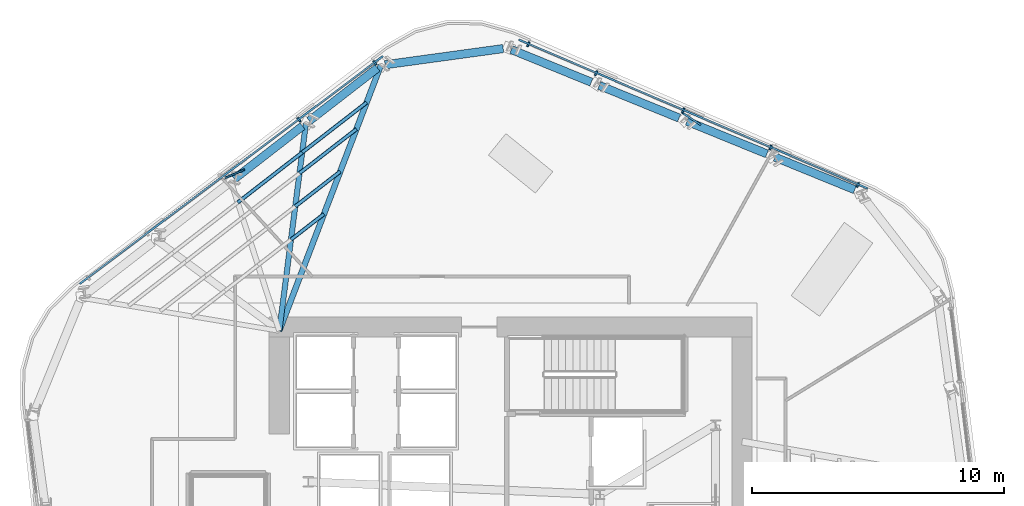
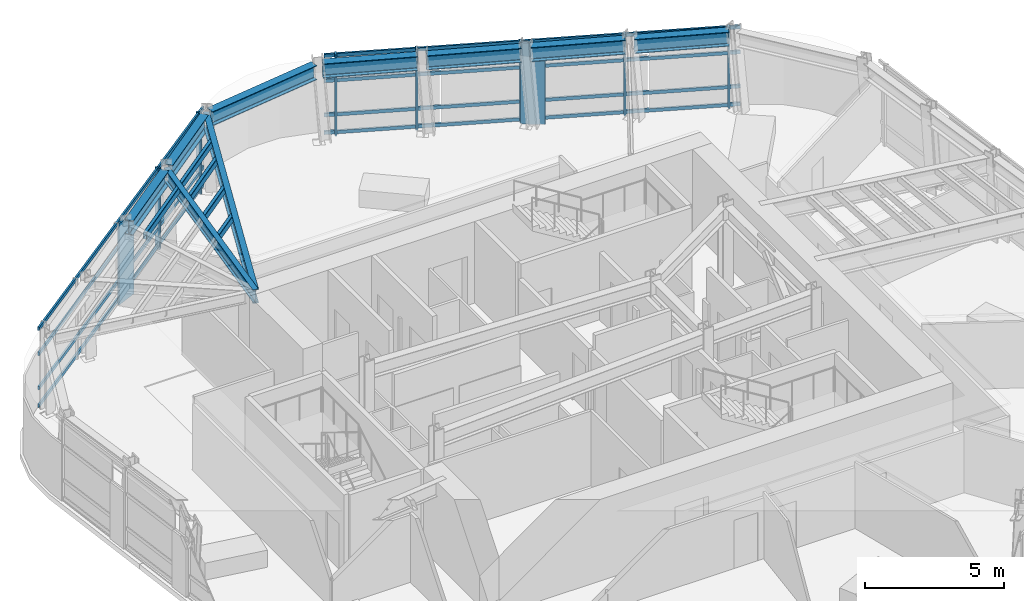
# One storey, part 6 of 14: 22 members, 9 beams, 2 elements without a shape of their own.
"""IFC4 building model written with IfcOpenShell, lengths in metres."""

import ifcopenshell
import ifcopenshell.guid

model = None  # the IFC model being written
_history = None  # IfcOwnerHistory: only IFC2X3 demands one
_inside = {}  # id of a spatial element -> (the spatial element, [elements in it])
_under = {}  # id of a project, library or spatial element -> (it, [spatial elements below it])
_declared = {}  # id of a project -> (the project, [libraries it declares])
_typed = {}  # id of a type object -> (the type object, [elements of that type])
_made_of = {}  # id of a material, layer set ... -> (it, [elements and type objects made of it])


def new_model(schema):
    """Start an empty IFC model of exactly this schema.

    Asked for "IFC4X3", IfcOpenShell would pick the latest addendum, in which some entities
    have other attributes; the version numbers below select the first issue.
    IFC2X3 requires an IfcOwnerHistory on every rooted entity: one is made here for all.
    """
    global model, _history
    if schema == "IFC4X3":
        model = ifcopenshell.file(schema_version=(4, 3, 0, 0))
    else:
        model = ifcopenshell.file(schema=schema)
    _inside.clear()
    _under.clear()
    _declared.clear()
    _typed.clear()
    _made_of.clear()
    _history = None
    if model.schema == "IFC2X3":
        org = make("IfcOrganization", Name="unknown")
        user = make(
            "IfcPersonAndOrganization",
            ThePerson=make("IfcPerson", FamilyName="unknown"),
            TheOrganization=org,
        )
        app = make(
            "IfcApplication",
            ApplicationDeveloper=org,
            Version="unknown",
            ApplicationFullName="unknown",
            ApplicationIdentifier="unknown",
        )
        _history = make(
            "IfcOwnerHistory",
            OwningUser=user,
            OwningApplication=app,
            ChangeAction="ADDED",
            CreationDate=0,
        )
    return model


def make(cls, **values):
    """One entity of the class cls with the attributes given. An attribute that is None is left unset."""
    return model.create_entity(
        cls, **{name: value for name, value in values.items() if value is not None}
    )


def rooted(cls, **values):
    """An entity with a GlobalId (a new one), such as an element, a storey or a relation."""
    return make(cls, GlobalId=ifcopenshell.guid.new(), OwnerHistory=_history, **values)


def si_unit(unit_type, name, prefix=None):
    """IfcSIUnit, for example si_unit("LENGTHUNIT", "METRE", prefix="MILLI")."""
    return make("IfcSIUnit", UnitType=unit_type, Prefix=prefix, Name=name)


def assignment(units):
    """IfcUnitAssignment: the units of a project."""
    return None if units is None else make("IfcUnitAssignment", Units=units)


def point(xyz):
    """IfcCartesianPoint."""
    return None if xyz is None else make("IfcCartesianPoint", Coordinates=xyz)


def direction(xyz):
    """IfcDirection."""
    return None if xyz is None else make("IfcDirection", DirectionRatios=xyz)


def frame(location, z_axis=None, x_axis=None):
    """IfcAxis2Placement3D, a coordinate frame: its origin and axes. An axis left out is left unset."""
    return make(
        "IfcAxis2Placement3D",
        Location=point(location),
        Axis=direction(z_axis),
        RefDirection=direction(x_axis),
    )


def frame_2d(location, x_axis=None):
    """IfcAxis2Placement2D, a coordinate frame in the plane: its origin and x axis."""
    return make(
        "IfcAxis2Placement2D", Location=point(location), RefDirection=direction(x_axis)
    )


def origin():
    """The frame at (0, 0, 0) with its axes left unset."""
    return frame((0.0, 0.0, 0.0))


def origin_2d():
    """The frame at (0, 0) in the plane with its x axis left unset."""
    return frame_2d((0.0, 0.0))


def place(relative_to, where):
    """IfcLocalPlacement: puts the frame where relative to a parent placement (None: the world)."""
    return make(
        "IfcLocalPlacement", PlacementRelTo=relative_to, RelativePlacement=where
    )


def context(
    kind, dimensions, precision=None, world=None, true_north=None, identifier=None
):
    """IfcGeometricRepresentationContext, for example the 3D "Model" context."""
    return make(
        "IfcGeometricRepresentationContext",
        ContextIdentifier=identifier,
        ContextType=kind,
        CoordinateSpaceDimension=dimensions,
        Precision=precision,
        WorldCoordinateSystem=world,
        TrueNorth=true_north,
    )


def subcontext(parent, identifier, kind, view, scale=None):
    """IfcGeometricRepresentationSubContext, for example "Body" below "Model"."""
    return make(
        "IfcGeometricRepresentationSubContext",
        ContextIdentifier=identifier,
        ContextType=kind,
        ParentContext=parent,
        TargetScale=scale,
        TargetView=view,
    )


def project(units=None, contexts=None):
    """IfcProject with its units and contexts."""
    return rooted(
        "IfcProject",
        Name="project",
        RepresentationContexts=contexts,
        UnitsInContext=assignment(units),
    )


def spatial(cls, under=None, at=None, **own):
    """A site, building, storey or space (cls), placed at a placement, below another one or the project."""
    s = rooted(cls, ObjectPlacement=at, **own)
    if under is not None:
        _under.setdefault(under.id(), (under, []))[1].append(s)
    return s


def profile(cls, at=None, kind="AREA", **sizes):
    """A parametric profile (cls). Its sizes go by their IFC names, for example OverallWidth=200.0."""
    return make(cls, ProfileType=kind, Position=at, **sizes)


def rectangle(**sizes):
    """IfcRectangleProfileDef."""
    return profile("IfcRectangleProfileDef", **sizes)


def hollow_rectangle(**sizes):
    """IfcRectangleHollowProfileDef."""
    return profile("IfcRectangleHollowProfileDef", **sizes)


def i_section(**sizes):
    """IfcIShapeProfileDef."""
    return profile("IfcIShapeProfileDef", **sizes)


def extrude(swept, where, along, depth):
    """IfcExtrudedAreaSolid: the profile swept, set in the frame where, extruded along a direction by depth."""
    return make(
        "IfcExtrudedAreaSolid",
        SweptArea=swept,
        Position=where,
        ExtrudedDirection=direction(along),
        Depth=depth,
    )


def shape(context_of_items, identifier, shape_type, items):
    """IfcShapeRepresentation: the items that make up one representation, for example the "Body"."""
    return make(
        "IfcShapeRepresentation",
        ContextOfItems=context_of_items,
        RepresentationIdentifier=identifier,
        RepresentationType=shape_type,
        Items=items,
    )


def material(Name=None, Category=None):
    """IfcMaterial."""
    return make("IfcMaterial", Name=Name, Category=Category)


def layer(
    of_material, thickness, ventilated=None, Name=None, Category=None, Priority=None
):
    """IfcMaterialLayer: one layer of a wall or slab, of a material (None: an air gap)."""
    return make(
        "IfcMaterialLayer",
        Material=of_material,
        LayerThickness=thickness,
        IsVentilated=ventilated,
        Name=Name,
        Category=Category,
        Priority=Priority,
    )


def layer_set(layers, Name=None):
    """IfcMaterialLayerSet."""
    return make("IfcMaterialLayerSet", MaterialLayers=layers, LayerSetName=Name)


def material_profile(
    of_material, cross_section, Name=None, Category=None, Priority=None
):
    """IfcMaterialProfile: a cross section and its material."""
    return make(
        "IfcMaterialProfile",
        Name=Name,
        Material=of_material,
        Profile=cross_section,
        Priority=Priority,
        Category=Category,
    )


def profile_set(profiles, Name=None, composite=None):
    """IfcMaterialProfileSet."""
    return make(
        "IfcMaterialProfileSet",
        Name=Name,
        MaterialProfiles=profiles,
        CompositeProfile=composite,
    )


def made_of(thing, what):
    """Note that an element or type object is made of a material, layer set ...; save() writes the relation."""
    if what is not None:
        _made_of.setdefault(what.id(), (what, []))[1].append(thing)
    return thing


def type_object(cls, material=None, **own):
    """A type object (cls), such as IfcWallType, which elements share."""
    return made_of(rooted(cls, **own), material)


def element(
    cls,
    number,
    at=None,
    inside=None,
    cuts=None,
    type_object=None,
    material=None,
    context=None,
    identifier="Body",
    shape_type=None,
    held_by="IfcProductDefinitionShape",
    body=None,
    shapes=None,
    **own,
):
    """One element of the class cls, such as IfcWall. Its Tag is "e" and its number.

    at: its placement. inside: the storey or other place that contains it. cuts: it is an
    opening in that element (IfcRelVoidsElement). A single representation is given by context,
    identifier, shape_type and body (its items); several are given by shapes. held_by: the class
    of the entity that holds the representations. save() writes the other relations.
    """
    e = rooted(cls, Tag="e%d" % number, ObjectPlacement=at, **own)
    if body is not None:
        shapes = [shape(context, identifier, shape_type, body)]
    if shapes is not None:
        e.Representation = make(held_by, Representations=shapes)
    if inside is not None:
        _inside.setdefault(inside.id(), (inside, []))[1].append(e)
    if cuts is not None:
        rooted(
            "IfcRelVoidsElement", RelatingBuildingElement=cuts, RelatedOpeningElement=e
        )
    if type_object is not None:
        _typed.setdefault(type_object.id(), (type_object, []))[1].append(e)
    return made_of(e, material)


def aggregate(whole, parts):
    """IfcRelAggregates: a whole, such as a stair, and the parts it consists of."""
    return rooted("IfcRelAggregates", RelatingObject=whole, RelatedObjects=parts)


def save(model, path):
    """Write the relations noted so far, then the file.

    IfcRelAggregates (storeys below a building ...), IfcRelContainedInSpatialStructure (elements
    in a storey), IfcRelDefinesByType, IfcRelAssociatesMaterial and IfcRelDeclares: one each for
    every whole, place, type object, material and project.
    """
    for whole, parts in _under.values():
        aggregate(whole, parts)
    for where, things in _inside.values():
        rooted(
            "IfcRelContainedInSpatialStructure",
            RelatedElements=things,
            RelatingStructure=where,
        )
    for kind, things in _typed.values():
        rooted("IfcRelDefinesByType", RelatedObjects=things, RelatingType=kind)
    for what, things in _made_of.values():
        rooted("IfcRelAssociatesMaterial", RelatedObjects=things, RelatingMaterial=what)
    for by, libraries in _declared.values():
        rooted("IfcRelDeclares", RelatingContext=by, RelatedDefinitions=libraries)
    model.write(path)


model = new_model("IFC4")

# Units and contexts
model_context = context("Model", 3, precision=1e-05, world=origin(), true_north=direction((0.0, 1.0)))
body_context = subcontext(model_context, "Body", "Model", "MODEL_VIEW")
ifc_project = project(units=[si_unit("LENGTHUNIT", "METRE"), si_unit("AREAUNIT", "SQUARE_METRE"), si_unit("VOLUMEUNIT", "CUBIC_METRE"), si_unit("PLANEANGLEUNIT", "RADIAN"), si_unit("MASSUNIT", "GRAM", prefix="KILO")], contexts=[model_context])

# Site, building, storey
site_placement = place(None, origin())
site = spatial("IfcSite", under=ifc_project, at=site_placement, CompositionType="ELEMENT")
building_placement = place(site_placement, origin())
building = spatial("IfcBuilding", under=site, at=building_placement, Name="Valkerne Bourse Tower", CompositionType="ELEMENT")
storey_placement = place(building_placement, frame((0.0, 0.0, 181.800048828125)))
storey = spatial("IfcBuildingStorey", under=building, at=storey_placement, Name="L46", CompositionType="ELEMENT", Elevation=181.800048828125)

# Beams
ifc_material_1 = material(Name="Steel ASTM A992", Category="steel")
ifc_material_profile_1 = material_profile(ifc_material_1, i_section(OverallWidth=0.2138671875, OverallDepth=0.548583984375, WebThickness=0.0146484375, FlangeThickness=0.023681640625, FilletRadius=0.017822265625, at=origin_2d()), Name="W21X93")
ifc_profile_set_1 = profile_set([ifc_material_profile_1], Name="Steel ASTM A992")
beam_type_1 = type_object("IfcBeamType", Name="BM-W21X93", PredefinedType="BEAM", material=ifc_profile_set_1)
beam_1_placement = place(storey_placement, frame((38.65966796875, 43.647216796875, 3.3056640625), z_axis=(-0.127427251152, -0.991847919625, 0.0), x_axis=(0.991847919625, -0.127427251152, 0.0)))
element("IfcBeam", 1, at=beam_1_placement, inside=storey, type_object=beam_type_1, Name="L46 Radial Composite Floor Beam 06", PredefinedType="BEAM", context=body_context, shape_type="SweptSolid", body=[
    extrude(i_section(OverallWidth=0.2138671875, OverallDepth=0.548583984375, WebThickness=0.0146484375, FlangeThickness=0.023681640625, FilletRadius=0.017822265625, at=origin_2d()), origin(), (0.0, 0.0, 1.0), 8.315185546875),
])
ifc_material_profile_2 = material_profile(ifc_material_1, i_section(OverallWidth=0.32763671875, OverallDepth=0.62744140625, WebThickness=0.0166015625, FlangeThickness=0.027587890625, FilletRadius=0.020263671875, at=origin_2d()), Name="W24X146")
ifc_profile_set_2 = profile_set([ifc_material_profile_2], Name="Steel ASTM A992")
beam_type_2 = type_object("IfcBeamType", Name="BM-W24X146", PredefinedType="SPANDREL", material=ifc_profile_set_2)
for number, where, z_axis, x_axis, name in (
    (2, (60.480712890625, 41.0126953125, 3.266357421875), (-0.925862886072, 0.377859651452, 0.0), (-0.377859651452, -0.925862886072, 0.0), "L46 Hexagonal Spandrel Ring Beam 00"),
    (3, (56.9892578125, 42.4375, 3.266357421875), (-0.925837989671, 0.377920648923, 0.0), (-0.377920648923, -0.925837989671, 0.0), "L46 Hexagonal Spandrel Ring Beam 01"),
    (4, (53.497802734375, 43.862548828125, 3.266357421875), (-0.925862886072, 0.377859651452, 0.0), (-0.377859651452, -0.925862886072, 0.0), "L46 Hexagonal Spandrel Ring Beam 02"),
):
    element("IfcBeam", number, at=place(storey_placement, frame(where, z_axis=z_axis, x_axis=x_axis)), inside=storey, type_object=beam_type_2, Name=name, PredefinedType="SPANDREL", context=body_context, shape_type="SweptSolid", body=[
        extrude(i_section(OverallWidth=0.32763671875, OverallDepth=0.62744140625, WebThickness=0.0166015625, FlangeThickness=0.027587890625, FilletRadius=0.020263671875, at=origin_2d()), origin(), (0.0, 0.0, 1.0), 3.430908203125),
    ])
beam_2_placement = place(storey_placement, frame((50.00634765625, 45.287353515625, 3.266357421875), z_axis=(-0.925873045145, 0.377834757894, 0.0), x_axis=(-0.377834757894, -0.925873045145, 0.0)))
element("IfcBeam", 5, at=beam_2_placement, inside=storey, type_object=beam_type_2, Name="L46 Hexagonal Spandrel Ring Beam 03", PredefinedType="SPANDREL", context=body_context, shape_type="SweptSolid", body=[
    extrude(i_section(OverallWidth=0.32763671875, OverallDepth=0.62744140625, WebThickness=0.0166015625, FlangeThickness=0.027587890625, FilletRadius=0.020263671875, at=origin_2d()), origin(), (0.0, 0.0, 1.0), 3.43115234375),
])
beam_3_placement = place(storey_placement, frame((46.50390625, 46.625, 3.266357421875), z_axis=(-0.990747869771, -0.135715358539, 0.0), x_axis=(0.135715358539, -0.990747869771, 0.0)))
element("IfcBeam", 6, at=beam_3_placement, inside=storey, type_object=beam_type_2, Name="L46 Hexagonal Spandrel Ring Beam 04", PredefinedType="SPANDREL", context=body_context, shape_type="SweptSolid", body=[
    extrude(i_section(OverallWidth=0.32763671875, OverallDepth=0.62744140625, WebThickness=0.0166015625, FlangeThickness=0.027587890625, FilletRadius=0.020263671875, at=origin_2d()), origin(), (0.0, 0.0, 1.0), 4.740234375),
])
beam_4_placement = place(storey_placement, frame((41.5048828125, 45.854248046875, 3.266357421875), z_axis=(-0.790160019381, -0.612900598606, 0.0), x_axis=(0.612900598606, -0.790160019381, 0.0)))
element("IfcBeam", 7, at=beam_4_placement, inside=storey, type_object=beam_type_2, Name="L46 Hexagonal Spandrel Ring Beam 05", PredefinedType="SPANDREL", context=body_context, shape_type="SweptSolid", body=[
    extrude(i_section(OverallWidth=0.32763671875, OverallDepth=0.62744140625, WebThickness=0.0166015625, FlangeThickness=0.027587890625, FilletRadius=0.020263671875, at=origin_2d()), origin(), (0.0, 0.0, 1.0), 3.430908203125),
])
beam_5_placement = place(storey_placement, frame((38.525390625, 43.54296875, 3.266357421875), z_axis=(-0.790186748156, -0.612866137944, 0.0), x_axis=(0.612866137944, -0.790186748156, 0.0)))
element("IfcBeam", 8, at=beam_5_placement, inside=storey, type_object=beam_type_2, Name="L46 Hexagonal Spandrel Ring Beam 06", PredefinedType="SPANDREL", context=body_context, shape_type="SweptSolid", body=[
    extrude(i_section(OverallWidth=0.32763671875, OverallDepth=0.62744140625, WebThickness=0.0166015625, FlangeThickness=0.027587890625, FilletRadius=0.020263671875, at=origin_2d()), origin(), (0.0, 0.0, 1.0), 3.43115234375),
])
ifc_material_profile_3 = material_profile(ifc_material_1, i_section(OverallWidth=0.228271484375, OverallDepth=0.607177734375, WebThickness=0.01123046875, FlangeThickness=0.017333984375, FilletRadius=0.017822265625, at=origin_2d()), Name="W24X76")
ifc_profile_set_3 = profile_set([ifc_material_profile_3], Name="Steel ASTM A992")
beam_type_3 = type_object("IfcBeamType", Name="BM-W24X76", PredefinedType="JOIST", material=ifc_profile_set_3)
beam_6_placement = place(storey_placement, frame((41.63916015625, 45.95849609375, 3.2763671875), z_axis=(-0.357288195222, -0.933994189251, 0.0), x_axis=(0.933994189251, -0.357288195222, 0.0)))
element("IfcBeam", 9, at=beam_6_placement, inside=storey, type_object=beam_type_3, Name="L46 Radial Composite Floor Beam 05", PredefinedType="JOIST", context=body_context, shape_type="SweptSolid", body=[
    extrude(i_section(OverallWidth=0.228271484375, OverallDepth=0.607177734375, WebThickness=0.01123046875, FlangeThickness=0.017333984375, FilletRadius=0.017822265625, at=origin_2d()), origin(), (0.0, 0.0, 1.0), 11.3046875),
])

# Curtain wall, members
ifc_material_2 = material(Name="Aluminium AA 6063-T6", Category="aluminium")
ifc_layer = layer(ifc_material_2, 0.235107421875)
ifc_layer_set = layer_set([ifc_layer], Name="Aluminium AA 6063-T6")
curtain_wall_type = type_object("IfcCurtainWallType", Name="CW-03", PredefinedType="NOTDEFINED", material=ifc_layer_set)
curtain_wall_1_placement = place(storey_placement, origin())
curtain_wall_1 = element("IfcCurtainWall", 10, at=curtain_wall_1_placement, inside=storey, type_object=curtain_wall_type, Name="L46 Hexagonal Stick Curtain Wall Face 1", PredefinedType="NOTDEFINED")
ifc_material_profile_4 = material_profile(ifc_material_2, rectangle(XDim=0.074951171875, YDim=0.199951171875, at=origin_2d()), Name="CWM-75X200")
ifc_profile_set_4 = profile_set([ifc_material_profile_4], Name="Aluminium AA 6063-T6")
member_type_1 = type_object("IfcMemberType", Name="CW-MUL-220X75", PredefinedType="MULLION", material=ifc_profile_set_4)
member_1_placement = place(storey_placement, frame((60.602783203125, 41.20703125, 0.0), z_axis=(0.0, 0.0, 1.0), x_axis=(-0.919823978755, 0.392331298914, 0.0)))
member_1 = element("IfcMember", 11, at=member_1_placement, type_object=member_type_1, Name="CW-L46-F1 Jamb Mullion 00A", PredefinedType="MULLION", context=body_context, shape_type="SweptSolid", body=[
    extrude(rectangle(XDim=0.074951171875, YDim=0.199951171875, at=origin_2d()), origin(), (0.0, 0.0, 1.0), 3.579833984375),
])
member_2_placement = place(storey_placement, frame((57.134033203125, 42.6865234375, 0.0), z_axis=(0.0, 0.0, 1.0), x_axis=(-0.919819896878, 0.392340868769, 0.0)))
member_2 = element("IfcMember", 12, at=member_2_placement, type_object=member_type_1, Name="CW-L46-F1 Jamb Mullion 01A", PredefinedType="MULLION", context=body_context, shape_type="SweptSolid", body=[
    extrude(rectangle(XDim=0.074951171875, YDim=0.199951171875, at=origin_2d()), origin(), (0.0, 0.0, 1.0), 3.579833984375),
])
member_3_placement = place(storey_placement, frame((53.665283203125, 44.166015625, 0.0), z_axis=(0.0, 0.0, 1.0), x_axis=(-0.919823978755, 0.392331298914, 0.0)))
member_3 = element("IfcMember", 13, at=member_3_placement, type_object=member_type_1, Name="CW-L46-F1 Jamb Mullion 02A", PredefinedType="MULLION", context=body_context, shape_type="SweptSolid", body=[
    extrude(rectangle(XDim=0.074951171875, YDim=0.199951171875, at=origin_2d()), origin(), (0.0, 0.0, 1.0), 3.579833984375),
])
member_4_placement = place(storey_placement, frame((50.19677734375, 45.6455078125, 0.0), z_axis=(0.0, 0.0, 1.0), x_axis=(-0.919819896878, 0.392340868769, 0.0)))
member_4 = element("IfcMember", 14, at=member_4_placement, type_object=member_type_1, Name="CW-L46-F1 Jamb Mullion 03A", PredefinedType="MULLION", context=body_context, shape_type="SweptSolid", body=[
    extrude(rectangle(XDim=0.074951171875, YDim=0.199951171875, at=origin_2d()), origin(), (0.0, 0.0, 1.0), 3.579833984375),
])
member_5_placement = place(storey_placement, frame((47.500732421875, 46.79541015625, 0.0), z_axis=(0.0, 0.0, 1.0), x_axis=(-0.919819896878, 0.392340868769, 0.0)))
member_5 = element("IfcMember", 15, at=member_5_placement, type_object=member_type_1, Name="CW-L46-F1 Jamb Mullion 03B", PredefinedType="MULLION", context=body_context, shape_type="SweptSolid", body=[
    extrude(rectangle(XDim=0.074951171875, YDim=0.199951171875, at=origin_2d()), origin(), (0.0, 0.0, 1.0), 3.579833984375),
])

curtain_wall_2_placement = place(storey_placement, origin())
curtain_wall_2 = element("IfcCurtainWall", 16, at=curtain_wall_2_placement, inside=storey, type_object=curtain_wall_type, Name="L46 Hexagonal Stick Curtain Wall Face 2", PredefinedType="NOTDEFINED")
member_6_placement = place(storey_placement, frame((41.397705078125, 46.056884765625, 0.0), z_axis=(0.0, 0.0, 1.0), x_axis=(-0.799691229291, -0.600411473737, 0.0)))
member_6 = element("IfcMember", 17, at=member_6_placement, type_object=member_type_1, Name="CW-L46-F2 Jamb Mullion 00A", PredefinedType="MULLION", context=body_context, shape_type="SweptSolid", body=[
    extrude(rectangle(XDim=0.074951171875, YDim=0.199951171875, at=origin_2d()), origin(), (0.0, 0.0, 1.0), 3.579833984375),
])
member_7_placement = place(storey_placement, frame((38.382080078125, 43.792724609375, 0.0), z_axis=(0.0, 0.0, 1.0), x_axis=(-0.799694402222, -0.60040724767, 0.0)))
member_7 = element("IfcMember", 18, at=member_7_placement, type_object=member_type_1, Name="CW-L46-F2 Jamb Mullion 01A", PredefinedType="MULLION", context=body_context, shape_type="SweptSolid", body=[
    extrude(rectangle(XDim=0.074951171875, YDim=0.199951171875, at=origin_2d()), origin(), (0.0, 0.0, 1.0), 3.579833984375),
])

# Member
ifc_material_profile_5 = material_profile(ifc_material_2, rectangle(XDim=0.074951171875, YDim=0.14990234375, at=origin_2d()), Name="CWT-75X150")
ifc_profile_set_5 = profile_set([ifc_material_profile_5], Name="Aluminium AA 6063-T6")
member_type_2 = type_object("IfcMemberType", Name="CW-TRN-180X65", PredefinedType="USERDEFINED", material=ifc_profile_set_5)
member_8_placement = place(storey_placement, frame((60.996826171875, 41.060546875, 0.119873046875), z_axis=(-0.919821784613, 0.392336443058, 0.0), x_axis=(-0.392336443058, -0.919821784613, 0.0)))
member_8 = element("IfcMember", 19, at=member_8_placement, type_object=member_type_2, Name="CW-L46-F1 Continuous Face Transom 1", ObjectType="TRANSOM", PredefinedType="USERDEFINED", context=body_context, shape_type="SweptSolid", body=[
    extrude(rectangle(XDim=0.074951171875, YDim=0.14990234375, at=origin_2d()), origin(), (0.0, 0.0, 1.0), 15.083984375),
])

member_9_placement = place(storey_placement, frame((60.996826171875, 41.060546875, 0.89990234375), z_axis=(-0.919821784613, 0.392336443058, 0.0), x_axis=(-0.392336443058, -0.919821784613, 0.0)))
member_9 = element("IfcMember", 20, at=member_9_placement, type_object=member_type_2, Name="CW-L46-F1 Continuous Face Transom 2", ObjectType="TRANSOM", PredefinedType="USERDEFINED", context=body_context, shape_type="SweptSolid", body=[
    extrude(rectangle(XDim=0.074951171875, YDim=0.14990234375, at=origin_2d()), origin(), (0.0, 0.0, 1.0), 15.083984375),
])

member_10_placement = place(storey_placement, frame((60.996826171875, 41.060546875, 2.39990234375), z_axis=(-0.919821784613, 0.392336443058, 0.0), x_axis=(-0.392336443058, -0.919821784613, 0.0)))
member_10 = element("IfcMember", 21, at=member_10_placement, type_object=member_type_2, Name="CW-L46-F1 Continuous Face Transom 3", ObjectType="TRANSOM", PredefinedType="USERDEFINED", context=body_context, shape_type="SweptSolid", body=[
    extrude(rectangle(XDim=0.074951171875, YDim=0.14990234375, at=origin_2d()), origin(), (0.0, 0.0, 1.0), 15.083984375),
])

member_11_placement = place(storey_placement, frame((60.996826171875, 41.060546875, 3.5), z_axis=(-0.919821784613, 0.392336443058, 0.0), x_axis=(-0.392336443058, -0.919821784613, 0.0)))
member_11 = element("IfcMember", 22, at=member_11_placement, type_object=member_type_2, Name="CW-L46-F1 Continuous Face Transom 4", ObjectType="TRANSOM", PredefinedType="USERDEFINED", context=body_context, shape_type="SweptSolid", body=[
    extrude(rectangle(XDim=0.074951171875, YDim=0.14990234375, at=origin_2d()), origin(), (0.0, 0.0, 1.0), 15.083984375),
])

aggregate(curtain_wall_1, [member_8, member_9, member_10, member_11, member_1, member_2, member_3, member_4, member_5])

member_12_placement = place(storey_placement, frame((41.721435546875, 46.3251953125, 0.119873046875), z_axis=(-0.799681361337, -0.600424616692, 0.0), x_axis=(0.600424616692, -0.799681361337, 0.0)))
member_12 = element("IfcMember", 23, at=member_12_placement, type_object=member_type_2, Name="CW-L46-F2 Continuous Face Transom 1", ObjectType="TRANSOM", PredefinedType="USERDEFINED", context=body_context, shape_type="SweptSolid", body=[
    extrude(rectangle(XDim=0.074951171875, YDim=0.14990234375, at=origin_2d()), origin(), (0.0, 0.0, 1.0), 15.084228515625),
])

member_13_placement = place(storey_placement, frame((41.721435546875, 46.3251953125, 0.89990234375), z_axis=(-0.799681361337, -0.600424616692, 0.0), x_axis=(0.600424616692, -0.799681361337, 0.0)))
member_13 = element("IfcMember", 24, at=member_13_placement, type_object=member_type_2, Name="CW-L46-F2 Continuous Face Transom 2", ObjectType="TRANSOM", PredefinedType="USERDEFINED", context=body_context, shape_type="SweptSolid", body=[
    extrude(rectangle(XDim=0.074951171875, YDim=0.14990234375, at=origin_2d()), origin(), (0.0, 0.0, 1.0), 15.084228515625),
])

member_14_placement = place(storey_placement, frame((41.721435546875, 46.3251953125, 2.39990234375), z_axis=(-0.799681361337, -0.600424616692, 0.0), x_axis=(0.600424616692, -0.799681361337, 0.0)))
member_14 = element("IfcMember", 25, at=member_14_placement, type_object=member_type_2, Name="CW-L46-F2 Continuous Face Transom 3", ObjectType="TRANSOM", PredefinedType="USERDEFINED", context=body_context, shape_type="SweptSolid", body=[
    extrude(rectangle(XDim=0.074951171875, YDim=0.14990234375, at=origin_2d()), origin(), (0.0, 0.0, 1.0), 15.084228515625),
])

member_15_placement = place(storey_placement, frame((41.721435546875, 46.3251953125, 3.5), z_axis=(-0.799681361337, -0.600424616692, 0.0), x_axis=(0.600424616692, -0.799681361337, 0.0)))
member_15 = element("IfcMember", 26, at=member_15_placement, type_object=member_type_2, Name="CW-L46-F2 Continuous Face Transom 4", ObjectType="TRANSOM", PredefinedType="USERDEFINED", context=body_context, shape_type="SweptSolid", body=[
    extrude(rectangle(XDim=0.074951171875, YDim=0.14990234375, at=origin_2d()), origin(), (0.0, 0.0, 1.0), 15.084228515625),
])

aggregate(curtain_wall_2, [member_12, member_13, member_14, member_15, member_6, member_7])

# Members
ifc_material_3 = material(Name="Bronze Anodised Aluminium AA 6063-T6", Category="aluminium")
ifc_material_profile_6 = material_profile(ifc_material_3, rectangle(XDim=0.070068359375, YDim=0.89990234375, at=origin_2d()), Name="FIN-70X900")
ifc_profile_set_6 = profile_set([ifc_material_profile_6], Name="Bronze Anodised Aluminium AA 6063-T6")
member_type_3 = type_object("IfcMemberType", Name="FIN-SOLAR-900", PredefinedType="USERDEFINED", material=ifc_profile_set_6)
for number, where, z_axis, x_axis, name in (
    (27, (53.981201171875, 43.835693359375, 0.00390625), (0.0, 0.0, 1.0), (0.54688346738, 0.837208739268, 0.0), "L46 Bronze Anodised Solar Fin F1-02"),
    (28, (35.810302734375, 41.63671875, 0.00390625), (0.0, 0.0, 1.0), (-0.397723269139, 0.917505422973, 0.0), "L46 Bronze Anodised Solar Fin F2-02"),
):
    element("IfcMember", number, at=place(storey_placement, frame(where, z_axis=z_axis, x_axis=x_axis)), inside=storey, type_object=member_type_3, Name=name, ObjectType="SOLAR_FIN", PredefinedType="USERDEFINED", context=body_context, shape_type="SweptSolid", body=[
        extrude(rectangle(XDim=0.070068359375, YDim=0.89990234375, at=origin_2d()), origin(), (0.0, 0.0, 1.0), 3.572021484375),
    ])
ifc_material_4 = material(Name="Steel ASTM A500 Grade C", Category="steel")
ifc_material_profile_7 = material_profile(ifc_material_4, hollow_rectangle(XDim=0.14990234375, YDim=0.300048828125, WallThickness=0.012451171875, OuterFilletRadius=0.02490234375, at=origin_2d()), Name="HSS300X150X12.5")
ifc_profile_set_7 = profile_set([ifc_material_profile_7], Name="Steel ASTM A500 Grade C")
member_type_4 = type_object("IfcMemberType", Name="MBR-HSS300X150X12.5", PredefinedType="PURLIN", material=ifc_profile_set_7)
member_16_placement = place(storey_placement, frame((39.377197265625, 40.045654296875, 3.419921875), z_axis=(-0.790183443402, -0.61287039884, 0.0), x_axis=(0.61287039884, -0.790183443402, 0.0)))
element("IfcMember", 29, at=member_16_placement, inside=storey, type_object=member_type_4, Name="L46 Secondary Composite Floor Purlin K-05", PredefinedType="PURLIN", context=body_context, shape_type="SweptSolid", body=[
    extrude(hollow_rectangle(XDim=0.14990234375, YDim=0.300048828125, WallThickness=0.012451171875, OuterFilletRadius=0.02490234375, at=origin_2d()), origin(), (0.0, 0.0, 1.0), 1.6591796875),
])
member_17_placement = place(storey_placement, frame((40.669921875, 43.424560546875, 3.419921875), z_axis=(-0.790163392767, -0.612896249565, 0.0), x_axis=(0.612896249565, -0.790163392767, 0.0)))
element("IfcMember", 30, at=member_17_placement, inside=storey, type_object=member_type_4, Name="L46 Secondary Composite Floor Purlin O-05", PredefinedType="PURLIN", context=body_context, shape_type="SweptSolid", body=[
    extrude(hollow_rectangle(XDim=0.14990234375, YDim=0.300048828125, WallThickness=0.012451171875, OuterFilletRadius=0.02490234375, at=origin_2d()), origin(), (0.0, 0.0, 1.0), 2.865966796875),
])
member_18_placement = place(storey_placement, frame((40.0234375, 41.735107421875, 3.419921875), z_axis=(-0.790130207714, -0.612939030294, 0.0), x_axis=(0.612939030294, -0.790130207714, 0.0)))
element("IfcMember", 31, at=member_18_placement, inside=storey, type_object=member_type_4, Name="L46 Secondary Composite Floor Purlin Z-05", PredefinedType="PURLIN", context=body_context, shape_type="SweptSolid", body=[
    extrude(hollow_rectangle(XDim=0.14990234375, YDim=0.300048828125, WallThickness=0.012451171875, OuterFilletRadius=0.02490234375, at=origin_2d()), origin(), (0.0, 0.0, 1.0), 2.262451171875),
])
member_19_placement = place(storey_placement, frame((41.07373046875, 44.480224609375, 3.419921875), z_axis=(-0.790174413621, -0.6128820409, 0.0), x_axis=(0.6128820409, -0.790174413621, 0.0)))
element("IfcMember", 32, at=member_19_placement, inside=storey, type_object=member_type_4, Name="L46 Secondary Composite Floor Purlin T-05", PredefinedType="PURLIN", context=body_context, shape_type="SweptSolid", body=[
    extrude(hollow_rectangle(XDim=0.14990234375, YDim=0.300048828125, WallThickness=0.012451171875, OuterFilletRadius=0.02490234375, at=origin_2d()), origin(), (0.0, 0.0, 1.0), 3.242919921875),
])
member_20_placement = place(storey_placement, frame((38.51123046875, 42.49267578125, 3.419921875), z_axis=(-0.790137955388, -0.612929042757, 0.0), x_axis=(0.612929042757, -0.790137955388, 0.0)))
element("IfcMember", 33, at=member_20_placement, inside=storey, type_object=member_type_4, Name="L46 Secondary Composite Floor Purlin T-06", PredefinedType="PURLIN", context=body_context, shape_type="SweptSolid", body=[
    extrude(hollow_rectangle(XDim=0.14990234375, YDim=0.300048828125, WallThickness=0.012451171875, OuterFilletRadius=0.02490234375, at=origin_2d()), origin(), (0.0, 0.0, 1.0), 3.2431640625),
])

save(model, "model.ifc")
